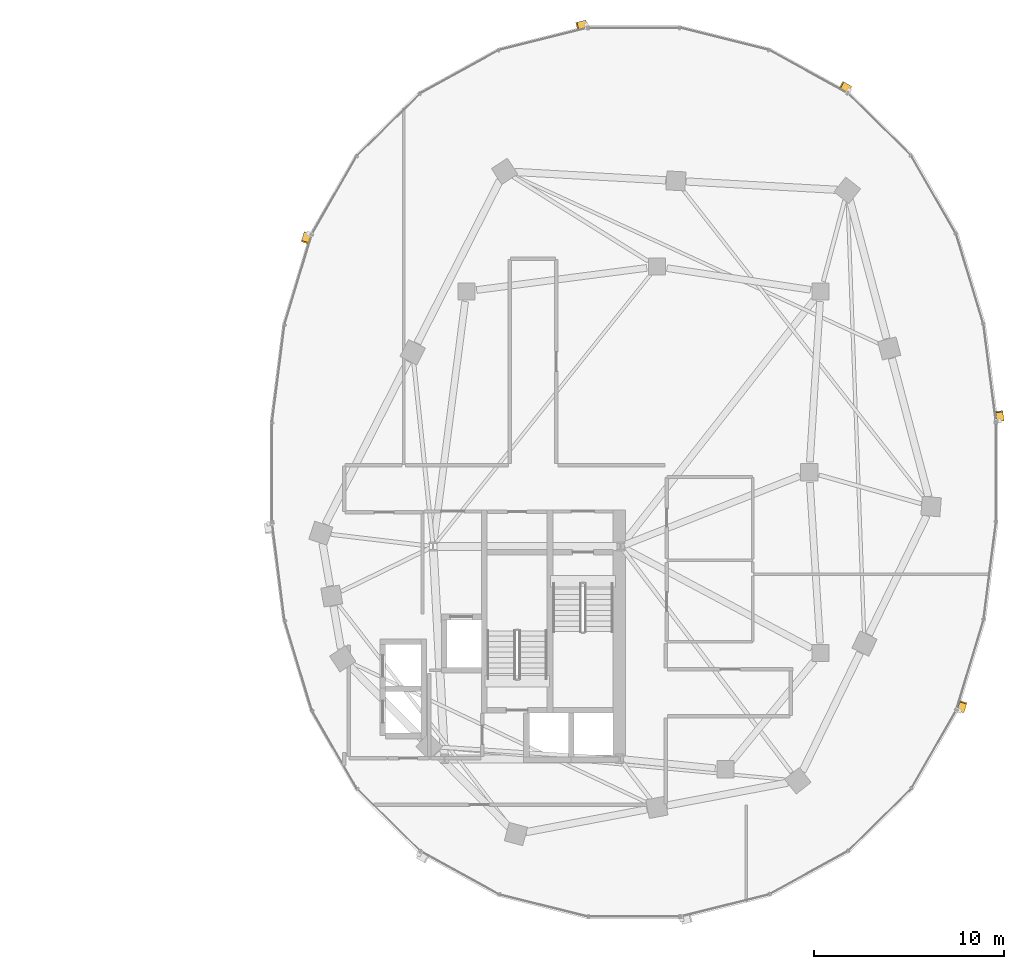
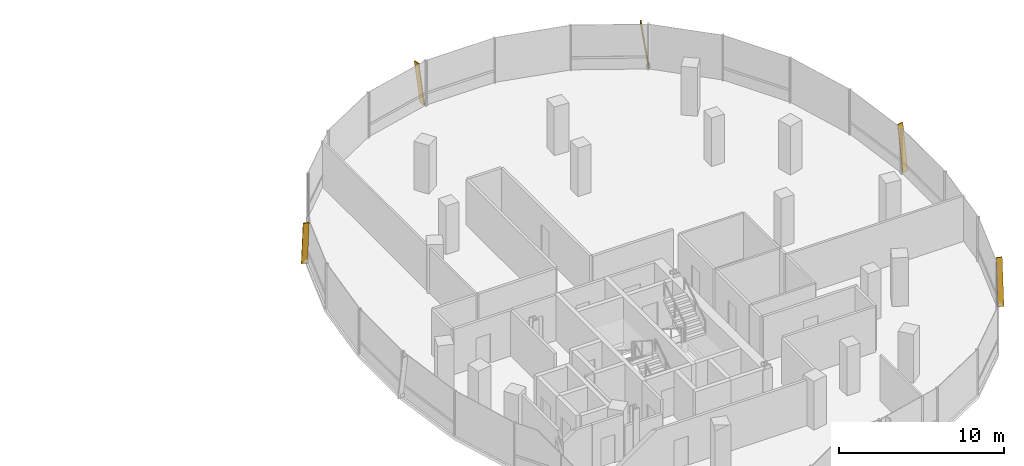
# One storey, part 22 of 22: 5 shading devices.
"""IFC4 building model written with IfcOpenShell, lengths in metres."""

import ifcopenshell
import ifcopenshell.guid

model = None  # the IFC model being written
_history = None  # IfcOwnerHistory: only IFC2X3 demands one
_inside = {}  # id of a spatial element -> (the spatial element, [elements in it])
_under = {}  # id of a project, library or spatial element -> (it, [spatial elements below it])
_declared = {}  # id of a project -> (the project, [libraries it declares])
_typed = {}  # id of a type object -> (the type object, [elements of that type])
_made_of = {}  # id of a material, layer set ... -> (it, [elements and type objects made of it])


def new_model(schema):
    """Start an empty IFC model of exactly this schema.

    Asked for "IFC4X3", IfcOpenShell would pick the latest addendum, in which some entities
    have other attributes; the version numbers below select the first issue.
    IFC2X3 requires an IfcOwnerHistory on every rooted entity: one is made here for all.
    """
    global model, _history
    if schema == "IFC4X3":
        model = ifcopenshell.file(schema_version=(4, 3, 0, 0))
    else:
        model = ifcopenshell.file(schema=schema)
    _inside.clear()
    _under.clear()
    _declared.clear()
    _typed.clear()
    _made_of.clear()
    _history = None
    if model.schema == "IFC2X3":
        org = make("IfcOrganization", Name="unknown")
        user = make(
            "IfcPersonAndOrganization",
            ThePerson=make("IfcPerson", FamilyName="unknown"),
            TheOrganization=org,
        )
        app = make(
            "IfcApplication",
            ApplicationDeveloper=org,
            Version="unknown",
            ApplicationFullName="unknown",
            ApplicationIdentifier="unknown",
        )
        _history = make(
            "IfcOwnerHistory",
            OwningUser=user,
            OwningApplication=app,
            ChangeAction="ADDED",
            CreationDate=0,
        )
    return model


def make(cls, **values):
    """One entity of the class cls with the attributes given. An attribute that is None is left unset."""
    return model.create_entity(
        cls, **{name: value for name, value in values.items() if value is not None}
    )


def rooted(cls, **values):
    """An entity with a GlobalId (a new one), such as an element, a storey or a relation."""
    return make(cls, GlobalId=ifcopenshell.guid.new(), OwnerHistory=_history, **values)


def si_unit(unit_type, name, prefix=None):
    """IfcSIUnit, for example si_unit("LENGTHUNIT", "METRE", prefix="MILLI")."""
    return make("IfcSIUnit", UnitType=unit_type, Prefix=prefix, Name=name)


def assignment(units):
    """IfcUnitAssignment: the units of a project."""
    return None if units is None else make("IfcUnitAssignment", Units=units)


def point(xyz):
    """IfcCartesianPoint."""
    return None if xyz is None else make("IfcCartesianPoint", Coordinates=xyz)


def direction(xyz):
    """IfcDirection."""
    return None if xyz is None else make("IfcDirection", DirectionRatios=xyz)


def frame(location, z_axis=None, x_axis=None):
    """IfcAxis2Placement3D, a coordinate frame: its origin and axes. An axis left out is left unset."""
    return make(
        "IfcAxis2Placement3D",
        Location=point(location),
        Axis=direction(z_axis),
        RefDirection=direction(x_axis),
    )


def frame_2d(location, x_axis=None):
    """IfcAxis2Placement2D, a coordinate frame in the plane: its origin and x axis."""
    return make(
        "IfcAxis2Placement2D", Location=point(location), RefDirection=direction(x_axis)
    )


def origin():
    """The frame at (0, 0, 0) with its axes left unset."""
    return frame((0.0, 0.0, 0.0))


def origin_2d():
    """The frame at (0, 0) in the plane with its x axis left unset."""
    return frame_2d((0.0, 0.0))


def place(relative_to, where):
    """IfcLocalPlacement: puts the frame where relative to a parent placement (None: the world)."""
    return make(
        "IfcLocalPlacement", PlacementRelTo=relative_to, RelativePlacement=where
    )


def context(
    kind, dimensions, precision=None, world=None, true_north=None, identifier=None
):
    """IfcGeometricRepresentationContext, for example the 3D "Model" context."""
    return make(
        "IfcGeometricRepresentationContext",
        ContextIdentifier=identifier,
        ContextType=kind,
        CoordinateSpaceDimension=dimensions,
        Precision=precision,
        WorldCoordinateSystem=world,
        TrueNorth=true_north,
    )


def subcontext(parent, identifier, kind, view, scale=None):
    """IfcGeometricRepresentationSubContext, for example "Body" below "Model"."""
    return make(
        "IfcGeometricRepresentationSubContext",
        ContextIdentifier=identifier,
        ContextType=kind,
        ParentContext=parent,
        TargetScale=scale,
        TargetView=view,
    )


def project(units=None, contexts=None):
    """IfcProject with its units and contexts."""
    return rooted(
        "IfcProject",
        Name="project",
        RepresentationContexts=contexts,
        UnitsInContext=assignment(units),
    )


def spatial(cls, under=None, at=None, **own):
    """A site, building, storey or space (cls), placed at a placement, below another one or the project."""
    s = rooted(cls, ObjectPlacement=at, **own)
    if under is not None:
        _under.setdefault(under.id(), (under, []))[1].append(s)
    return s


def profile(cls, at=None, kind="AREA", **sizes):
    """A parametric profile (cls). Its sizes go by their IFC names, for example OverallWidth=200.0."""
    return make(cls, ProfileType=kind, Position=at, **sizes)


def rectangle(**sizes):
    """IfcRectangleProfileDef."""
    return profile("IfcRectangleProfileDef", **sizes)


def extrude(swept, where, along, depth):
    """IfcExtrudedAreaSolid: the profile swept, set in the frame where, extruded along a direction by depth."""
    return make(
        "IfcExtrudedAreaSolid",
        SweptArea=swept,
        Position=where,
        ExtrudedDirection=direction(along),
        Depth=depth,
    )


def shape(context_of_items, identifier, shape_type, items):
    """IfcShapeRepresentation: the items that make up one representation, for example the "Body"."""
    return make(
        "IfcShapeRepresentation",
        ContextOfItems=context_of_items,
        RepresentationIdentifier=identifier,
        RepresentationType=shape_type,
        Items=items,
    )


def material(Name=None, Category=None):
    """IfcMaterial."""
    return make("IfcMaterial", Name=Name, Category=Category)


def material_profile(
    of_material, cross_section, Name=None, Category=None, Priority=None
):
    """IfcMaterialProfile: a cross section and its material."""
    return make(
        "IfcMaterialProfile",
        Name=Name,
        Material=of_material,
        Profile=cross_section,
        Priority=Priority,
        Category=Category,
    )


def profile_set(profiles, Name=None, composite=None):
    """IfcMaterialProfileSet."""
    return make(
        "IfcMaterialProfileSet",
        Name=Name,
        MaterialProfiles=profiles,
        CompositeProfile=composite,
    )


def made_of(thing, what):
    """Note that an element or type object is made of a material, layer set ...; save() writes the relation."""
    if what is not None:
        _made_of.setdefault(what.id(), (what, []))[1].append(thing)
    return thing


def type_object(cls, material=None, **own):
    """A type object (cls), such as IfcWallType, which elements share."""
    return made_of(rooted(cls, **own), material)


def element(
    cls,
    number,
    at=None,
    inside=None,
    cuts=None,
    type_object=None,
    material=None,
    context=None,
    identifier="Body",
    shape_type=None,
    held_by="IfcProductDefinitionShape",
    body=None,
    shapes=None,
    **own,
):
    """One element of the class cls, such as IfcWall. Its Tag is "e" and its number.

    at: its placement. inside: the storey or other place that contains it. cuts: it is an
    opening in that element (IfcRelVoidsElement). A single representation is given by context,
    identifier, shape_type and body (its items); several are given by shapes. held_by: the class
    of the entity that holds the representations. save() writes the other relations.
    """
    e = rooted(cls, Tag="e%d" % number, ObjectPlacement=at, **own)
    if body is not None:
        shapes = [shape(context, identifier, shape_type, body)]
    if shapes is not None:
        e.Representation = make(held_by, Representations=shapes)
    if inside is not None:
        _inside.setdefault(inside.id(), (inside, []))[1].append(e)
    if cuts is not None:
        rooted(
            "IfcRelVoidsElement", RelatingBuildingElement=cuts, RelatedOpeningElement=e
        )
    if type_object is not None:
        _typed.setdefault(type_object.id(), (type_object, []))[1].append(e)
    return made_of(e, material)


def aggregate(whole, parts):
    """IfcRelAggregates: a whole, such as a stair, and the parts it consists of."""
    return rooted("IfcRelAggregates", RelatingObject=whole, RelatedObjects=parts)


def save(model, path):
    """Write the relations noted so far, then the file.

    IfcRelAggregates (storeys below a building ...), IfcRelContainedInSpatialStructure (elements
    in a storey), IfcRelDefinesByType, IfcRelAssociatesMaterial and IfcRelDeclares: one each for
    every whole, place, type object, material and project.
    """
    for whole, parts in _under.values():
        aggregate(whole, parts)
    for where, things in _inside.values():
        rooted(
            "IfcRelContainedInSpatialStructure",
            RelatedElements=things,
            RelatingStructure=where,
        )
    for kind, things in _typed.values():
        rooted("IfcRelDefinesByType", RelatedObjects=things, RelatingType=kind)
    for what, things in _made_of.values():
        rooted("IfcRelAssociatesMaterial", RelatedObjects=things, RelatingMaterial=what)
    for by, libraries in _declared.values():
        rooted("IfcRelDeclares", RelatingContext=by, RelatedDefinitions=libraries)
    model.write(path)


model = new_model("IFC4")

# Units and contexts
model_context = context("Model", 3, precision=1e-05, world=origin(), true_north=direction((0.0, 1.0)))
body_context = subcontext(model_context, "Body", "Model", "MODEL_VIEW")
ifc_project = project(units=[si_unit("LENGTHUNIT", "METRE"), si_unit("AREAUNIT", "SQUARE_METRE"), si_unit("VOLUMEUNIT", "CUBIC_METRE"), si_unit("PLANEANGLEUNIT", "RADIAN"), si_unit("MASSUNIT", "GRAM", prefix="KILO"), si_unit("THERMODYNAMICTEMPERATUREUNIT", "KELVIN"), si_unit("POWERUNIT", "WATT")], contexts=[model_context])

# Site, building, storey
site_placement = place(None, origin())
site = spatial("IfcSite", under=ifc_project, at=site_placement, CompositionType="ELEMENT")
building_placement = place(site_placement, origin())
building = spatial("IfcBuilding", under=site, at=building_placement, Name="Cundina Bronze Exchange", CompositionType="ELEMENT")
storey_placement = place(building_placement, frame((0.0, 0.0, 136.800048828125)))
storey = spatial("IfcBuildingStorey", under=building, at=storey_placement, Name="L35", CompositionType="ELEMENT", Elevation=136.800048828125)

# Shading devices
ifc_material = material(Name="Anodised Bronze Aluminium 6063-T6", Category="aluminium")
ifc_material_profile = material_profile(ifc_material, rectangle(XDim=0.070068359375, YDim=0.3798828125, at=origin_2d()), Name="FIN70X380", Category="aluminium")
ifc_profile_set = profile_set([ifc_material_profile], Name="Anodised Bronze Aluminium 6063-T6")
shading_device_type = type_object("IfcShadingDeviceType", Name="SHD-FIN-BRZ380", PredefinedType="USERDEFINED", material=ifc_profile_set)
for number, where, z_axis, x_axis, name in (
    (1, (51.23486328125, 2.705810546875, 0.02001953125), (-0.018123110499, 0.141927973785, 0.989711070527), (0.125360600332, -0.981739641151, 0.143080386066), "L35 Diagonal Bronze Solar Fin 1"),
    (2, (43.320068359375, 20.11181640625, 0.02001953125), (-0.125333488691, 0.068998924088, 0.989712415345), (0.867010347902, -0.477308832643, 0.143071083426), "L35 Diagonal Bronze Solar Fin 5"),
    (3, (29.48046875, 23.556396484375, 0.02001953125), (-0.138798398751, -0.034717795597, 0.989711917263), (0.960131970194, 0.240158861973, 0.143074528925), "L35 Diagonal Bronze Solar Fin 1"),
    (4, (14.848876953125, 12.5439453125, 0.02001953125), (-0.041486383227, -0.136977847776, 0.989704980904), (0.286882071994, 0.94721413946, 0.143122502684), "L35 Diagonal Bronze Solar Fin 5"),
    (5, (49.151123046875, -12.5439453125, 0.02001953125), (0.041486383227, 0.136977847776, 0.989704980904), (-0.286882071994, -0.94721413946, 0.143122502684), "L35 Diagonal Bronze Solar Fin 5"),
):
    element("IfcShadingDevice", number, at=place(storey_placement, frame(where, z_axis=z_axis, x_axis=x_axis)), inside=storey, type_object=shading_device_type, Name=name, ObjectType="FIN", PredefinedType="USERDEFINED", context=body_context, shape_type="SweptSolid", body=[
        extrude(rectangle(XDim=0.070068359375, YDim=0.3798828125, at=origin_2d()), origin(), (0.0, 0.0, 1.0), 3.354248046875),
    ])

save(model, "model.ifc")
